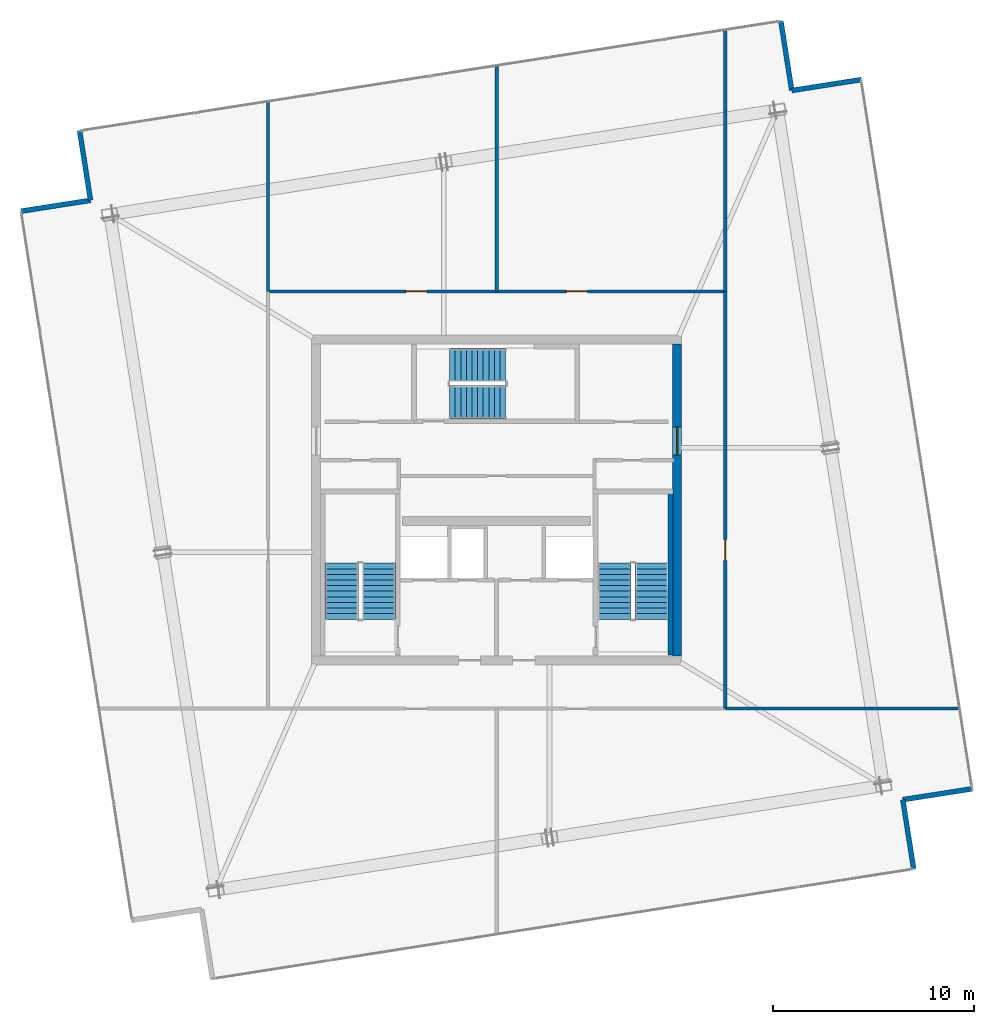
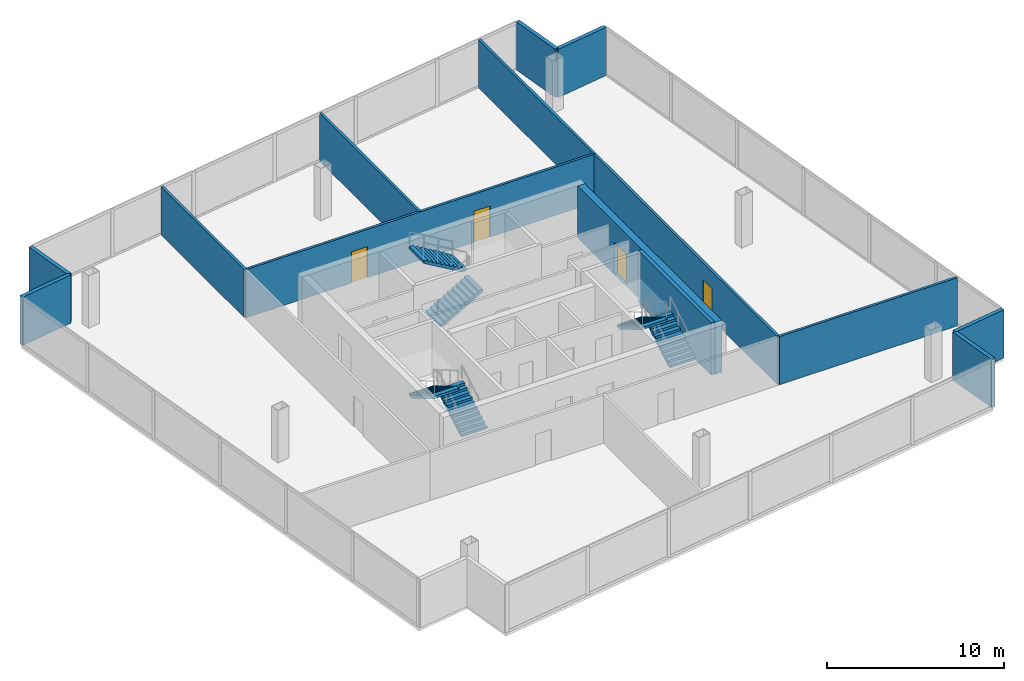
# One storey, part 16 of 17: 14 walls, 6 stair flights, 4 doors, 4 openings, 3 elements without a shape of their own.
"""IFC4 building model written with IfcOpenShell, lengths in metres."""

from ifc_helpers import new_model, si_unit, direction, frame, frame_2d, origin, place, context, subcontext, project, spatial, polyline, rectangle, outline, extrude, material, layer, layer_set, type_object, element, fill, aggregate, save


model = new_model("IFC4")

# Units and contexts
model_context = context("Model", 3, precision=1e-05, world=origin(), true_north=direction((0.0, 1.0)))
body_context = subcontext(model_context, "Body", "Model", "MODEL_VIEW")
ifc_project = project(units=[si_unit("LENGTHUNIT", "METRE"), si_unit("AREAUNIT", "SQUARE_METRE"), si_unit("VOLUMEUNIT", "CUBIC_METRE"), si_unit("PLANEANGLEUNIT", "RADIAN"), si_unit("MASSUNIT", "GRAM", prefix="KILO")], contexts=[model_context])

# Site, building, storey
site_placement = place(None, origin())
site = spatial("IfcSite", under=ifc_project, at=site_placement, CompositionType="ELEMENT")
building_placement = place(site_placement, origin())
building = spatial("IfcBuilding", under=site, at=building_placement, Name="Haldenkirk Collegiate Tower", CompositionType="ELEMENT")
storey_placement = place(building_placement, frame((0.0, 0.0, 364.199951171875)))
storey = spatial("IfcBuildingStorey", under=building, at=storey_placement, Name="L92", CompositionType="ELEMENT", Elevation=364.199951171875)

# Wall, opening, door
ifc_material_1 = material(Name="Concrete f'c 55 MPa", Category="concrete")
ifc_layer_1 = layer(ifc_material_1, 0.449951171875)
ifc_layer_set_1 = layer_set([ifc_layer_1], Name="Concrete f'c 55 MPa")
wall_type_1 = type_object("IfcWallType", Name="WL-CORE-450", PredefinedType="SHEAR", material=ifc_layer_set_1)
wall_1_placement = place(storey_placement, frame((45.0, 18.22509765625, 0.0), z_axis=(0.0, 0.0, 1.0), x_axis=(0.0, 1.0, 0.0)))
wall_1 = element("IfcWall", 1, at=wall_1_placement, inside=storey, type_object=wall_type_1, Name="L92 central core shear wall E", PredefinedType="SHEAR", context=body_context, shape_type="SweptSolid", body=[
    extrude(rectangle(XDim=15.5498046875, YDim=0.449951171875, at=frame_2d((7.77490234375, 0.0))), origin(), (0.0, 0.0, 1.0), 3.60009765625),
])
opening_1_placement = place(wall_1_placement, frame((10.014892578125, 0.0, 0.0)))
opening_1 = element("IfcOpeningElement", 2, at=opening_1_placement, cuts=wall_1, Name="Opening D-03", PredefinedType="OPENING", context=body_context, shape_type="SweptSolid", body=[
    extrude(rectangle(XDim=1.39990234375, YDim=2.199951171875, at=frame_2d((0.699951171875, 1.10009765625))), frame((0.0, 0.23486328125, 0.0), z_axis=(0.0, -1.0, 0.0), x_axis=(1.0, 0.0, 0.0)), (0.0, 0.0, 1.0), 0.469970703125),
])
ifc_material_2 = material(Name="Galvanized fire-rated hollow steel door", Category="steel")
ifc_layer_2 = layer(ifc_material_2, 0.06005859375)
ifc_layer_set_2 = layer_set([ifc_layer_2], Name="Galvanized fire-rated hollow steel door")
door_type_1 = type_object("IfcDoorType", Name="DR-LOBBY-FD90-1400", OperationType="NOTDEFINED", PredefinedType="DOOR", material=ifc_layer_set_2)
door_1_placement = place(opening_1_placement, origin())
door_1 = element("IfcDoor", 3, at=door_1_placement, inside=storey, type_object=door_type_1, Name="L92 east lift lobby portal", OperationType="DOUBLE_DOOR_SINGLE_SWING", OverallHeight=2.199951171875, OverallWidth=1.39990234375, PredefinedType="DOOR", context=body_context, shape_type="SweptSolid", body=[
    extrude(rectangle(XDim=1.39990234375, YDim=2.199951171875, at=frame_2d((0.699951171875, 1.10009765625))), frame((0.0, 0.02490234375, 0.0), z_axis=(0.0, -1.0, 0.0), x_axis=(1.0, 0.0, 0.0)), (0.0, 0.0, 1.0), 0.050048828125),
])
fill(opening_1, door_1)

# Walls
ifc_material_3 = material(Name="Precast concrete f'c 40 MPa", Category="concrete")
ifc_layer_3 = layer(ifc_material_3, 0.25)
ifc_layer_set_3 = layer_set([ifc_layer_3], Name="Precast concrete f'c 40 MPa")
wall_type_2 = type_object("IfcWallType", Name="WL-EXT-CRN-250", PredefinedType="STANDARD", material=ifc_layer_set_3)
for number, where, z_axis, x_axis, name in (
    (4, (50.717529296875, 46.4228515625, 0.0), (0.0, 0.0, 1.0), (0.987958443543, 0.154719468176, 0.0), "L92 crown bronze precast enclosure wall 02"),
    (5, (50.176025390625, 49.880615234375, 0.0), (0.0, 0.0, 1.0), (0.154719468176, -0.987958443543, 0.0), "L92 crown bronze precast enclosure wall 03"),
):
    element("IfcWall", number, at=place(storey_placement, frame(where, z_axis=z_axis, x_axis=x_axis)), inside=storey, type_object=wall_type_2, Name=name, PredefinedType="STANDARD", context=body_context, shape_type="SweptSolid", body=[
        extrude(rectangle(XDim=3.5, YDim=0.25, at=frame_2d((1.75, 0.0))), origin(), (0.0, 0.0, 1.0), 3.330078125),
    ])
for number, where, z_axis, x_axis, name in (
    (6, (15.743896484375, 40.946044921875, 0.0), (0.0, 0.0, 1.0), (-0.154708806205, 0.987960113204, 0.0), "L92 crown bronze precast enclosure wall 05"),
    (7, (12.285888671875, 40.404541015625, 0.0), (0.0, 0.0, 1.0), (0.987960113204, 0.154708806205, 0.0), "L92 crown bronze precast enclosure wall 06"),
    (8, (56.256103515625, 11.053955078125, 0.0), (0.0, 0.0, 1.0), (0.154708806205, -0.987960113204, 0.0), "L92 crown bronze precast enclosure wall 11"),
    (9, (59.714111328125, 11.595458984375, 0.0), (0.0, 0.0, 1.0), (-0.987960113204, -0.154708806205, 0.0), "L92 crown bronze precast enclosure wall 12"),
):
    element("IfcWall", number, at=place(storey_placement, frame(where, z_axis=z_axis, x_axis=x_axis)), inside=storey, type_object=wall_type_2, Name=name, PredefinedType="STANDARD", context=body_context, shape_type="SweptSolid", body=[
        extrude(rectangle(XDim=3.500244140625, YDim=0.25, at=frame_2d((1.75, 0.0))), origin(), (0.0, 0.0, 1.0), 3.330078125),
    ])

# Wall, openings, doors
ifc_material_4 = material(Name="Acoustic fire-rated gypsum partition", Category="concrete")
ifc_layer_4 = layer(ifc_material_4, 0.159912109375)
ifc_layer_set_4 = layer_set([ifc_layer_4], Name="Acoustic fire-rated gypsum partition")
wall_type_3 = type_object("IfcWallType", Name="WL-INT-CORR-160", PredefinedType="PARTITIONING", material=ifc_layer_set_4)
wall_2_placement = place(storey_placement, frame((24.60009765625, 36.39990234375, 0.0), z_axis=(0.0, 0.0, 1.0), x_axis=(1.0, 0.0, 0.0)))
wall_2 = element("IfcWall", 10, at=wall_2_placement, inside=storey, type_object=wall_type_3, Name="L92 interior partition IW-L92-CN", PredefinedType="PARTITIONING", context=body_context, shape_type="SweptSolid", body=[
    extrude(rectangle(XDim=22.7998046875, YDim=0.159912109375, at=frame_2d((11.39990234375, 0.0))), origin(), (0.0, 0.0, 1.0), 3.330078125),
])
opening_2_placement = place(wall_2_placement, frame((6.875, 0.0, 0.0)))
opening_2 = element("IfcOpeningElement", 11, at=opening_2_placement, cuts=wall_2, Name="Opening D-09", PredefinedType="OPENING", context=body_context, shape_type="SweptSolid", body=[
    extrude(rectangle(XDim=1.050048828125, YDim=2.14990234375, at=frame_2d((0.52490234375, 1.074951171875))), frame((0.0, 0.08984375, 0.0), z_axis=(0.0, -1.0, 0.0), x_axis=(1.0, 0.0, 0.0)), (0.0, 0.0, 1.0), 0.179931640625),
])
opening_3_placement = place(wall_2_placement, frame((14.875, 0.0, 0.0)))
opening_3 = element("IfcOpeningElement", 12, at=opening_3_placement, cuts=wall_2, Name="Opening D-09", PredefinedType="OPENING", context=body_context, shape_type="SweptSolid", body=[
    extrude(rectangle(XDim=1.050048828125, YDim=2.14990234375, at=frame_2d((0.52490234375, 1.074951171875))), frame((0.0, 0.08984375, 0.0), z_axis=(0.0, -1.0, 0.0), x_axis=(1.0, 0.0, 0.0)), (0.0, 0.0, 1.0), 0.179931640625),
])
ifc_material_5 = material(Name="Solid-core architectural oak fire door", Category="wood")
ifc_layer_5 = layer(ifc_material_5, 0.06005859375)
ifc_layer_set_5 = layer_set([ifc_layer_5], Name="Solid-core architectural oak fire door")
door_type_2 = type_object("IfcDoorType", Name="DR-INT-FD60-1050", OperationType="NOTDEFINED", PredefinedType="DOOR", material=ifc_layer_set_5)
door_2_placement = place(opening_2_placement, origin())
door_2 = element("IfcDoor", 13, at=door_2_placement, inside=storey, type_object=door_type_2, Name="L92 crown NW plant door", OperationType="SINGLE_SWING_RIGHT", OverallHeight=2.14990234375, OverallWidth=1.050048828125, PredefinedType="DOOR", context=body_context, shape_type="SweptSolid", body=[
    extrude(rectangle(XDim=1.050048828125, YDim=2.14990234375, at=frame_2d((0.52490234375, 1.074951171875))), frame((0.0, 0.02490234375, 0.0), z_axis=(0.0, -1.0, 0.0), x_axis=(1.0, 0.0, 0.0)), (0.0, 0.0, 1.0), 0.050048828125),
])
fill(opening_2, door_2)
door_3_placement = place(opening_3_placement, origin())
door_3 = element("IfcDoor", 14, at=door_3_placement, inside=storey, type_object=door_type_2, Name="L92 crown NE plant door", OperationType="SINGLE_SWING_LEFT", OverallHeight=2.14990234375, OverallWidth=1.050048828125, PredefinedType="DOOR", context=body_context, shape_type="SweptSolid", body=[
    extrude(rectangle(XDim=1.050048828125, YDim=2.14990234375, at=frame_2d((0.52490234375, 1.074951171875))), frame((0.0, 0.02490234375, 0.0), z_axis=(0.0, -1.0, 0.0), x_axis=(1.0, 0.0, 0.0)), (0.0, 0.0, 1.0), 0.050048828125),
])
fill(opening_3, door_3)

# Wall, opening, door
wall_3_placement = place(storey_placement, frame((47.39990234375, 15.60009765625, 0.0), z_axis=(0.0, 0.0, 1.0), x_axis=(0.0, 1.0, 0.0)))
wall_3 = element("IfcWall", 15, at=wall_3_placement, inside=storey, type_object=wall_type_3, Name="L92 interior partition IW-L92-CE", PredefinedType="PARTITIONING", context=body_context, shape_type="SweptSolid", body=[
    extrude(rectangle(XDim=20.7998046875, YDim=0.159912109375, at=frame_2d((10.39990234375, 0.0))), origin(), (0.0, 0.0, 1.0), 3.330078125),
])
opening_4_placement = place(wall_3_placement, frame((7.375, 0.0, 0.0)))
opening_4 = element("IfcOpeningElement", 16, at=opening_4_placement, cuts=wall_3, Name="Opening D-09", PredefinedType="OPENING", context=body_context, shape_type="SweptSolid", body=[
    extrude(rectangle(XDim=1.050048828125, YDim=2.14990234375, at=frame_2d((0.52490234375, 1.074951171875))), frame((0.0, 0.08984375, 0.0), z_axis=(0.0, -1.0, 0.0), x_axis=(1.0, 0.0, 0.0)), (0.0, 0.0, 1.0), 0.179931640625),
])
door_4_placement = place(opening_4_placement, origin())
door_4 = element("IfcDoor", 17, at=door_4_placement, inside=storey, type_object=door_type_2, Name="L92 crown E plant door", OperationType="SINGLE_SWING_LEFT", OverallHeight=2.14990234375, OverallWidth=1.050048828125, PredefinedType="DOOR", context=body_context, shape_type="SweptSolid", body=[
    extrude(rectangle(XDim=1.050048828125, YDim=2.14990234375, at=frame_2d((0.52490234375, 1.074951171875))), frame((0.0, 0.02490234375, 0.0), z_axis=(0.0, -1.0, 0.0), x_axis=(1.0, 0.0, 0.0)), (0.0, 0.0, 1.0), 0.050048828125),
])
fill(opening_4, door_4)

# Walls
wall_4_placement = place(storey_placement, frame((36.0, 36.39990234375, 0.0), z_axis=(0.0, 0.0, 1.0), x_axis=(0.0, 1.0, 0.0)))
element("IfcWall", 18, at=wall_4_placement, inside=storey, type_object=wall_type_3, Name="L92 interior partition IW-L92-D2", PredefinedType="PARTITIONING", context=body_context, shape_type="SweptSolid", body=[
    extrude(rectangle(XDim=11.220458984375, YDim=0.159912109375, at=frame_2d((5.6103515625, 0.0))), origin(), (0.0, 0.0, 1.0), 3.330078125),
])
wall_5_placement = place(storey_placement, frame((47.39990234375, 15.60009765625, 0.0), z_axis=(0.0, 0.0, 1.0), x_axis=(1.0, 0.0, 0.0)))
element("IfcWall", 19, at=wall_5_placement, inside=storey, type_object=wall_type_3, Name="L92 interior partition IW-L92-D4", PredefinedType="PARTITIONING", context=body_context, shape_type="SweptSolid", body=[
    extrude(rectangle(XDim=11.646484375, YDim=0.159912109375, at=frame_2d((5.8232421875, 0.0))), origin(), (0.0, 0.0, 1.0), 3.330078125),
])
wall_6_placement = place(storey_placement, frame((24.60009765625, 36.39990234375, 0.0), z_axis=(0.0, 0.0, 1.0), x_axis=(0.0, 1.0, 0.0)))
element("IfcWall", 20, at=wall_6_placement, inside=storey, type_object=wall_type_3, Name="L92 interior partition IW-L92-D5", PredefinedType="PARTITIONING", context=body_context, shape_type="SweptSolid", body=[
    extrude(rectangle(XDim=9.435302734375, YDim=0.159912109375, at=frame_2d((4.7177734375, 0.0))), origin(), (0.0, 0.0, 1.0), 3.330078125),
])
wall_7_placement = place(storey_placement, frame((47.39990234375, 36.39990234375, 0.0), z_axis=(0.0, 0.0, 1.0), x_axis=(0.0, 1.0, 0.0)))
element("IfcWall", 21, at=wall_7_placement, inside=storey, type_object=wall_type_3, Name="L92 interior partition IW-L92-D6", PredefinedType="PARTITIONING", context=body_context, shape_type="SweptSolid", body=[
    extrude(rectangle(XDim=13.005615234375, YDim=0.159912109375, at=frame_2d((6.5029296875, 0.0))), origin(), (0.0, 0.0, 1.0), 3.330078125),
])
ifc_layer_6 = layer(ifc_material_1, 0.239990234375)
ifc_layer_set_6 = layer_set([ifc_layer_6], Name="Concrete f'c 55 MPa")
wall_type_4 = type_object("IfcWallType", Name="WL-SHAFT-240", PredefinedType="SHEAR", material=ifc_layer_set_6)
wall_8_placement = place(storey_placement, frame((44.669921875, 18.280029296875, 0.0), z_axis=(0.0, 0.0, 1.0), x_axis=(0.0, 1.0, 0.0)))
element("IfcWall", 22, at=wall_8_placement, inside=storey, type_object=wall_type_4, Name="L92 stair shaft shear wall SW-L92-ST2E", PredefinedType="SHEAR", context=body_context, shape_type="SweptSolid", body=[
    extrude(rectangle(XDim=8.260009765625, YDim=0.239990234375, at=frame_2d((4.1298828125, 0.0))), origin(), (0.0, 0.0, 1.0), 3.60009765625),
])

# Stair, stair flights
ifc_material_6 = material(Name="Concrete f'c 40 MPa", Category="concrete")
stair_type = type_object("IfcStairType", Name="STR-DOGLEG-1650", PredefinedType="HALF_TURN_STAIR", material=ifc_material_6)
stair_1_placement = place(storey_placement, origin())
stair_1 = element("IfcStair", 23, at=stair_1_placement, inside=storey, type_object=stair_type, Name="L92 Core Exit Stair ST-1", PredefinedType="HALF_TURN_STAIR")
stair_flight_type = type_object("IfcStairFlightType", Name="STF-FLIGHT-1650", PredefinedType="STRAIGHT", material=ifc_material_6)
stair_flight_1_placement = place(storey_placement, frame((30.125, 20.050048828125, 0.0), z_axis=(0.0, 0.0, 1.0), x_axis=(0.0, 1.0, 0.0)))
stair_flight_1 = element("IfcStairFlight", 24, at=stair_flight_1_placement, type_object=stair_flight_type, Name="ST-1 flight 1", NumberOfRisers=11, NumberOfTreads=10, PredefinedType="STRAIGHT", RiserHeight=0.163636364, TreadLength=0.28, context=body_context, shape_type="SweptSolid", body=[
    extrude(outline(polyline([(0.0, 0.0), (0.0, 0.16357421875), (0.280029296875, 0.16357421875), (0.280029296875, 0.327392578125), (0.56005859375, 0.327392578125), (0.56005859375, 0.490966796875), (0.840087890625, 0.490966796875), (0.840087890625, 0.654541015625), (1.1201171875, 0.654541015625), (1.1201171875, 0.818115234375), (1.39990234375, 0.818115234375), (1.39990234375, 0.98193359375), (1.679931640625, 0.98193359375), (1.679931640625, 1.1455078125), (1.9599609375, 1.1455078125), (1.9599609375, 1.30908203125), (2.239990234375, 1.30908203125), (2.239990234375, 1.47265625), (2.52001953125, 1.47265625), (2.52001953125, 1.636474609375), (2.800048828125, 1.636474609375), (2.800048828125, 1.800048828125), (2.800048828125, 1.462646484375), (0.297119140625, 0.0), (0.0, 0.0)])), frame((0.0, 0.824951171875, 0.0), z_axis=(0.0, -1.0, 0.0), x_axis=(1.0, 0.0, 0.0)), (0.0, 0.0, 1.0), 1.64990234375),
])
stair_flight_2_placement = place(storey_placement, frame((28.27490234375, 22.85009765625, 1.800048828125), z_axis=(0.0, 0.0, 1.0), x_axis=(0.0, -1.0, 0.0)))
stair_flight_2 = element("IfcStairFlight", 25, at=stair_flight_2_placement, type_object=stair_flight_type, Name="ST-1 flight 2", NumberOfRisers=11, NumberOfTreads=10, PredefinedType="STRAIGHT", RiserHeight=0.163636364, TreadLength=0.28, context=body_context, shape_type="SweptSolid", body=[
    extrude(outline(polyline([(0.0, 0.0), (0.0, 0.16357421875), (0.280029296875, 0.16357421875), (0.280029296875, 0.327392578125), (0.56005859375, 0.327392578125), (0.56005859375, 0.490966796875), (0.840087890625, 0.490966796875), (0.840087890625, 0.654541015625), (1.1201171875, 0.654541015625), (1.1201171875, 0.818115234375), (1.39990234375, 0.818115234375), (1.39990234375, 0.98193359375), (1.679931640625, 0.98193359375), (1.679931640625, 1.1455078125), (1.9599609375, 1.1455078125), (1.9599609375, 1.30908203125), (2.239990234375, 1.30908203125), (2.239990234375, 1.47265625), (2.52001953125, 1.47265625), (2.52001953125, 1.636474609375), (2.800048828125, 1.636474609375), (2.800048828125, 1.800048828125), (2.800048828125, 1.462646484375), (0.297119140625, 0.0), (0.0, 0.0)])), frame((0.0, 0.824951171875, 0.0), z_axis=(0.0, -1.0, 0.0), x_axis=(1.0, 0.0, 0.0)), (0.0, 0.0, 1.0), 1.64990234375),
])
aggregate(stair_1, [stair_flight_1, stair_flight_2])

stair_2_placement = place(storey_placement, origin())
stair_2 = element("IfcStair", 26, at=stair_2_placement, inside=storey, type_object=stair_type, Name="L92 Core Exit Stair ST-2", PredefinedType="HALF_TURN_STAIR")
stair_flight_3_placement = place(storey_placement, frame((43.72509765625, 20.050048828125, 0.0), z_axis=(0.0, 0.0, 1.0), x_axis=(0.0, 1.0, 0.0)))
stair_flight_3 = element("IfcStairFlight", 27, at=stair_flight_3_placement, type_object=stair_flight_type, Name="ST-2 flight 1", NumberOfRisers=11, NumberOfTreads=10, PredefinedType="STRAIGHT", RiserHeight=0.163636364, TreadLength=0.28, context=body_context, shape_type="SweptSolid", body=[
    extrude(outline(polyline([(0.0, 0.0), (0.0, 0.16357421875), (0.280029296875, 0.16357421875), (0.280029296875, 0.327392578125), (0.56005859375, 0.327392578125), (0.56005859375, 0.490966796875), (0.840087890625, 0.490966796875), (0.840087890625, 0.654541015625), (1.1201171875, 0.654541015625), (1.1201171875, 0.818115234375), (1.39990234375, 0.818115234375), (1.39990234375, 0.98193359375), (1.679931640625, 0.98193359375), (1.679931640625, 1.1455078125), (1.9599609375, 1.1455078125), (1.9599609375, 1.30908203125), (2.239990234375, 1.30908203125), (2.239990234375, 1.47265625), (2.52001953125, 1.47265625), (2.52001953125, 1.636474609375), (2.800048828125, 1.636474609375), (2.800048828125, 1.800048828125), (2.800048828125, 1.462646484375), (0.297119140625, 0.0), (0.0, 0.0)])), frame((0.0, 0.824951171875, 0.0), z_axis=(0.0, -1.0, 0.0), x_axis=(1.0, 0.0, 0.0)), (0.0, 0.0, 1.0), 1.64990234375),
])
stair_flight_4_placement = place(storey_placement, frame((41.875, 22.85009765625, 1.800048828125), z_axis=(0.0, 0.0, 1.0), x_axis=(0.0, -1.0, 0.0)))
stair_flight_4 = element("IfcStairFlight", 28, at=stair_flight_4_placement, type_object=stair_flight_type, Name="ST-2 flight 2", NumberOfRisers=11, NumberOfTreads=10, PredefinedType="STRAIGHT", RiserHeight=0.163636364, TreadLength=0.28, context=body_context, shape_type="SweptSolid", body=[
    extrude(outline(polyline([(0.0, 0.0), (0.0, 0.16357421875), (0.280029296875, 0.16357421875), (0.280029296875, 0.327392578125), (0.56005859375, 0.327392578125), (0.56005859375, 0.490966796875), (0.840087890625, 0.490966796875), (0.840087890625, 0.654541015625), (1.1201171875, 0.654541015625), (1.1201171875, 0.818115234375), (1.39990234375, 0.818115234375), (1.39990234375, 0.98193359375), (1.679931640625, 0.98193359375), (1.679931640625, 1.1455078125), (1.9599609375, 1.1455078125), (1.9599609375, 1.30908203125), (2.239990234375, 1.30908203125), (2.239990234375, 1.47265625), (2.52001953125, 1.47265625), (2.52001953125, 1.636474609375), (2.800048828125, 1.636474609375), (2.800048828125, 1.800048828125), (2.800048828125, 1.462646484375), (0.297119140625, 0.0), (0.0, 0.0)])), frame((0.0, 0.824951171875, 0.0), z_axis=(0.0, -1.0, 0.0), x_axis=(1.0, 0.0, 0.0)), (0.0, 0.0, 1.0), 1.64990234375),
])
aggregate(stair_2, [stair_flight_3, stair_flight_4])

stair_3_placement = place(storey_placement, origin())
stair_3 = element("IfcStair", 29, at=stair_3_placement, inside=storey, type_object=stair_type, Name="L92 Core Exit Stair ST-3", PredefinedType="HALF_TURN_STAIR")
stair_flight_5_placement = place(storey_placement, frame((33.64990234375, 30.875, 0.0), z_axis=(0.0, 0.0, 1.0), x_axis=(1.0, 0.0, 0.0)))
stair_flight_5 = element("IfcStairFlight", 30, at=stair_flight_5_placement, type_object=stair_flight_type, Name="ST-3 flight 1", NumberOfRisers=11, NumberOfTreads=10, PredefinedType="STRAIGHT", RiserHeight=0.163636364, TreadLength=0.28, context=body_context, shape_type="SweptSolid", body=[
    extrude(outline(polyline([(0.0, 0.0), (0.0, 0.16357421875), (0.280029296875, 0.16357421875), (0.280029296875, 0.327392578125), (0.56005859375, 0.327392578125), (0.56005859375, 0.490966796875), (0.840087890625, 0.490966796875), (0.840087890625, 0.654541015625), (1.1201171875, 0.654541015625), (1.1201171875, 0.818115234375), (1.39990234375, 0.818115234375), (1.39990234375, 0.98193359375), (1.679931640625, 0.98193359375), (1.679931640625, 1.1455078125), (1.9599609375, 1.1455078125), (1.9599609375, 1.30908203125), (2.239990234375, 1.30908203125), (2.239990234375, 1.47265625), (2.52001953125, 1.47265625), (2.52001953125, 1.636474609375), (2.800048828125, 1.636474609375), (2.800048828125, 1.800048828125), (2.800048828125, 1.462646484375), (0.297119140625, 0.0), (0.0, 0.0)])), frame((0.0, 0.824951171875, 0.0), z_axis=(0.0, -1.0, 0.0), x_axis=(1.0, 0.0, 0.0)), (0.0, 0.0, 1.0), 1.64990234375),
])
stair_flight_6_placement = place(storey_placement, frame((36.449951171875, 32.72509765625, 1.800048828125), z_axis=(0.0, 0.0, 1.0), x_axis=(-1.0, 0.0, 0.0)))
stair_flight_6 = element("IfcStairFlight", 31, at=stair_flight_6_placement, type_object=stair_flight_type, Name="ST-3 flight 2", NumberOfRisers=11, NumberOfTreads=10, PredefinedType="STRAIGHT", RiserHeight=0.163636364, TreadLength=0.28, context=body_context, shape_type="SweptSolid", body=[
    extrude(outline(polyline([(0.0, 0.0), (0.0, 0.16357421875), (0.280029296875, 0.16357421875), (0.280029296875, 0.327392578125), (0.56005859375, 0.327392578125), (0.56005859375, 0.490966796875), (0.840087890625, 0.490966796875), (0.840087890625, 0.654541015625), (1.1201171875, 0.654541015625), (1.1201171875, 0.818115234375), (1.39990234375, 0.818115234375), (1.39990234375, 0.98193359375), (1.679931640625, 0.98193359375), (1.679931640625, 1.1455078125), (1.9599609375, 1.1455078125), (1.9599609375, 1.30908203125), (2.239990234375, 1.30908203125), (2.239990234375, 1.47265625), (2.52001953125, 1.47265625), (2.52001953125, 1.636474609375), (2.800048828125, 1.636474609375), (2.800048828125, 1.800048828125), (2.800048828125, 1.462646484375), (0.297119140625, 0.0), (0.0, 0.0)])), frame((0.0, 0.824951171875, 0.0), z_axis=(0.0, -1.0, 0.0), x_axis=(1.0, 0.0, 0.0)), (0.0, 0.0, 1.0), 1.64990234375),
])
aggregate(stair_3, [stair_flight_5, stair_flight_6])

save(model, "model.ifc")
